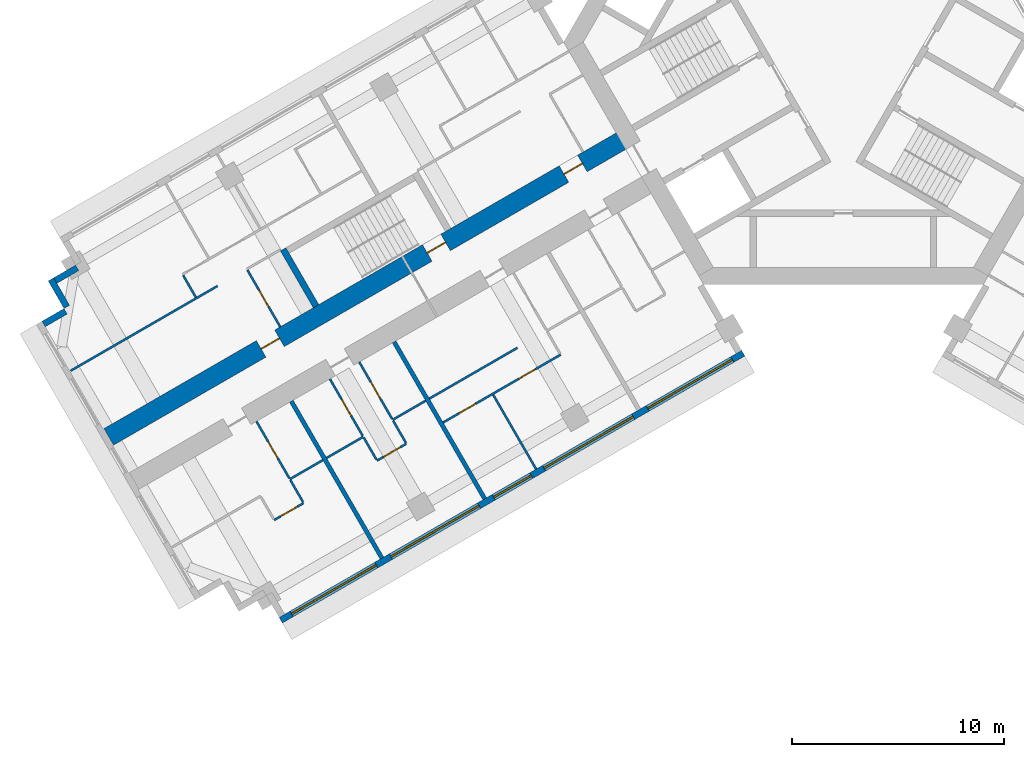
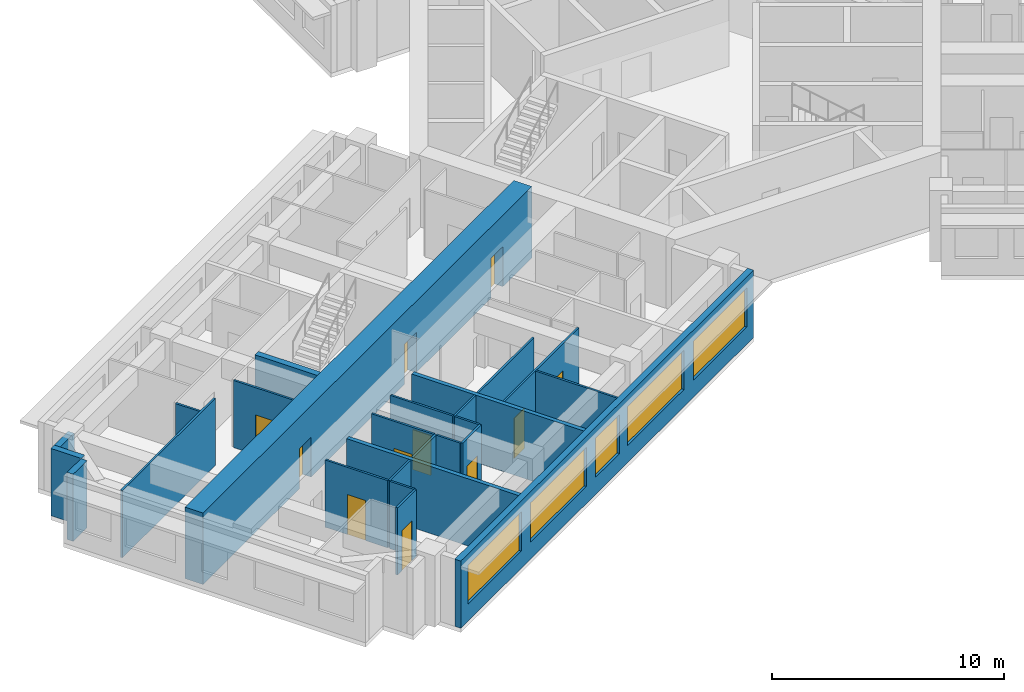
# One storey, part 3 of 14: 25 walls, 11 doors, 5 windows, 16 openings.
"""IFC4 building model written with IfcOpenShell, lengths in metres."""

from ifc_helpers import new_model, si_unit, direction, frame, frame_2d, origin, place, context, subcontext, project, spatial, rectangle, extrude, material, layer, layer_set, type_object, element, fill, save


model = new_model("IFC4")

# Units and contexts
model_context = context("Model", 3, precision=1e-05, world=origin(), true_north=direction((0.0, 1.0)))
body_context = subcontext(model_context, "Body", "Model", "MODEL_VIEW")
ifc_project = project(units=[si_unit("LENGTHUNIT", "METRE"), si_unit("AREAUNIT", "SQUARE_METRE"), si_unit("VOLUMEUNIT", "CUBIC_METRE"), si_unit("PLANEANGLEUNIT", "RADIAN"), si_unit("MASSUNIT", "GRAM", prefix="KILO")], contexts=[model_context])

# Site, building, storey
site_placement = place(None, origin())
site = spatial("IfcSite", under=ifc_project, at=site_placement, CompositionType="ELEMENT")
building_placement = place(site_placement, origin())
building = spatial("IfcBuilding", under=site, at=building_placement, Name="Impinga Residences", CompositionType="ELEMENT")
storey_placement = place(building_placement, frame((0.0, 0.0, 158.5)))
storey = spatial("IfcBuildingStorey", under=building, at=storey_placement, Name="L39", CompositionType="ELEMENT", Elevation=158.5)

# Wall, openings, doors
ifc_material_1 = material(Name="Concrete C60/75", Category="concrete")
ifc_layer_1 = layer(ifc_material_1, 0.89990234375)
ifc_layer_set_1 = layer_set([ifc_layer_1], Name="Concrete C60/75")
wall_type_1 = type_object("IfcWallType", Name="BW2 corridor buttress wall, L24 to L44 900", PredefinedType="SHEAR", material=ifc_layer_set_1)
wall_1_placement = place(storey_placement, frame((-10.153564453125, -4.4765625, 0.0), z_axis=(0.0, 0.0, 1.0), x_axis=(-0.866027127636, -0.49999701419, 0.0)))
wall_1 = element("IfcWall", 1, at=wall_1_placement, inside=storey, type_object=wall_type_1, Name="Corridor wall BW2 WD L39", PredefinedType="SHEAR", context=body_context, shape_type="SweptSolid", body=[
    extrude(rectangle(XDim=28.300048828125, YDim=0.89990234375, at=frame_2d((14.14990234375, 0.0))), origin(), (0.0, 0.0, 1.0), 3.75),
])
opening_1_placement = place(wall_1_placement, frame((9.949951171875, 0.0, 0.0)))
opening_1 = element("IfcOpeningElement", 2, at=opening_1_placement, cuts=wall_1, Name="Opening D5", PredefinedType="OPENING", context=body_context, shape_type="SweptSolid", body=[
    extrude(rectangle(XDim=1.0, YDim=2.10009765625, at=frame_2d((0.5, 1.050048828125))), frame((0.0, 0.4599609375, 0.0), z_axis=(0.0, -1.0, 0.0), x_axis=(1.0, 0.0, 0.0)), (0.0, 0.0, 1.0), 0.919921875),
])
opening_2_placement = place(wall_1_placement, frame((2.5, 0.0, 0.0)))
opening_2 = element("IfcOpeningElement", 3, at=opening_2_placement, cuts=wall_1, Name="Opening D1", PredefinedType="OPENING", context=body_context, shape_type="SweptSolid", body=[
    extrude(rectangle(XDim=1.0, YDim=2.10009765625, at=frame_2d((0.5, 1.050048828125))), frame((0.0, 0.4599609375, 0.0), z_axis=(0.0, -1.0, 0.0), x_axis=(1.0, 0.0, 0.0)), (0.0, 0.0, 1.0), 0.919921875),
])
opening_3_placement = place(wall_1_placement, frame((19.0, 0.0, 0.0)))
opening_3 = element("IfcOpeningElement", 4, at=opening_3_placement, cuts=wall_1, Name="Opening D1", PredefinedType="OPENING", context=body_context, shape_type="SweptSolid", body=[
    extrude(rectangle(XDim=1.0, YDim=2.10009765625, at=frame_2d((0.5, 1.050048828125))), frame((0.0, 0.4599609375, 0.0), z_axis=(0.0, -1.0, 0.0), x_axis=(1.0, 0.0, 0.0)), (0.0, 0.0, 1.0), 0.919921875),
])
ifc_material_2 = material(Name="Timber door set", Category="wood")
door_type_1 = type_object("IfcDoorType", Name="D1 apartment entrance door 1000x2100", OperationType="SINGLE_SWING_LEFT", PredefinedType="DOOR", material=ifc_material_2)
door_1_placement = place(opening_2_placement, origin())
door_1 = element("IfcDoor", 5, at=door_1_placement, inside=storey, type_object=door_type_1, Name="Apartment L39-WF1 entrance", OperationType="SINGLE_SWING_LEFT", OverallHeight=2.10009765625, OverallWidth=1.0, PredefinedType="DOOR", context=body_context, shape_type="SweptSolid", body=[
    extrude(rectangle(XDim=1.0, YDim=2.10009765625, at=frame_2d((0.5, 1.050048828125))), frame((0.0, 0.02490234375, 0.0), z_axis=(0.0, -1.0, 0.0), x_axis=(1.0, 0.0, 0.0)), (0.0, 0.0, 1.0), 0.050048828125),
])
fill(opening_2, door_1)
door_2_placement = place(opening_3_placement, origin())
door_2 = element("IfcDoor", 6, at=door_2_placement, inside=storey, type_object=door_type_1, Name="Apartment L39-WF2 entrance", OperationType="SINGLE_SWING_RIGHT", OverallHeight=2.10009765625, OverallWidth=1.0, PredefinedType="DOOR", context=body_context, shape_type="SweptSolid", body=[
    extrude(rectangle(XDim=1.0, YDim=2.10009765625, at=frame_2d((0.5, 1.050048828125))), frame((0.0, 0.02490234375, 0.0), z_axis=(0.0, -1.0, 0.0), x_axis=(1.0, 0.0, 0.0)), (0.0, 0.0, 1.0), 0.050048828125),
])
fill(opening_3, door_2)
door_type_2 = type_object("IfcDoorType", Name="D5 stair door 1000x2100", OperationType="SINGLE_SWING_LEFT", PredefinedType="DOOR", material=ifc_material_2)
door_3_placement = place(opening_1_placement, origin())
door_3 = element("IfcDoor", 7, at=door_3_placement, inside=storey, type_object=door_type_2, Name="Wing stair door W", OperationType="SINGLE_SWING_LEFT", OverallHeight=2.10009765625, OverallWidth=1.0, PredefinedType="DOOR", context=body_context, shape_type="SweptSolid", body=[
    extrude(rectangle(XDim=1.0, YDim=2.10009765625, at=frame_2d((0.5, 1.050048828125))), frame((0.0, 0.02490234375, 0.0), z_axis=(0.0, -1.0, 0.0), x_axis=(1.0, 0.0, 0.0)), (0.0, 0.0, 1.0), 0.050048828125),
])
fill(opening_1, door_3)

# Walls
ifc_material_3 = material(Name="Terracotta rainscreen on blockwork", Category="masonry")
ifc_layer_2 = layer(ifc_material_3, 0.300048828125)
ifc_layer_set_2 = layer_set([ifc_layer_2], Name="EW1 external wall, terracotta rainscreen on blockwork 300")
wall_type_2 = type_object("IfcWallType", Name="EW1 external wall, terracotta rainscreen on blockwork 300", PredefinedType="SOLIDWALL", material=ifc_layer_set_2)
wall_2_placement = place(storey_placement, frame((-37.737060546875, -13.300537109375, 0.0), z_axis=(0.0, 0.0, 1.0), x_axis=(0.865971243484, 0.500093796661, 0.0)))
element("IfcWall", 8, at=wall_2_placement, inside=storey, type_object=wall_type_2, Name="External wall EW1 L39", PredefinedType="SOLIDWALL", context=body_context, shape_type="SweptSolid", body=[
    extrude(rectangle(XDim=1.195068359375, YDim=0.300048828125, at=frame_2d((0.59765625, 0.0))), origin(), (0.0, 0.0, 1.0), 3.530029296875),
])
wall_3_placement = place(storey_placement, frame((-36.64306640625, -12.49560546875, 0.0), z_axis=(0.0, 0.0, 1.0), x_axis=(-0.499990139034, 0.866031096941, 0.0)))
element("IfcWall", 9, at=wall_3_placement, inside=storey, type_object=wall_type_2, Name="External wall EW1 L39", PredefinedType="SOLIDWALL", context=body_context, shape_type="SweptSolid", body=[
    extrude(rectangle(XDim=1.5, YDim=0.300048828125, at=frame_2d((0.75, 0.0))), origin(), (0.0, 0.0, 1.0), 3.530029296875),
])
wall_4_placement = place(storey_placement, frame((-37.18798828125, -11.25146484375, 0.0), z_axis=(0.0, 0.0, 1.0), x_axis=(0.866059708757, 0.499940577336, 0.0)))
element("IfcWall", 10, at=wall_4_placement, inside=storey, type_object=wall_type_2, Name="External wall EW1 L39", PredefinedType="SOLIDWALL", context=body_context, shape_type="SweptSolid", body=[
    extrude(rectangle(XDim=1.195068359375, YDim=0.300048828125, at=frame_2d((0.59765625, 0.0))), origin(), (0.0, 0.0, 1.0), 3.530029296875),
])

# Wall, openings, windows
wall_5_placement = place(storey_placement, frame((-4.72509765625, -14.67919921875, 0.0), z_axis=(0.0, 0.0, 1.0), x_axis=(-0.866026832479, -0.499997525421, 0.0)))
wall_5 = element("IfcWall", 11, at=wall_5_placement, inside=storey, type_object=wall_type_2, Name="External wall EW1 L39", PredefinedType="SOLIDWALL", context=body_context, shape_type="SweptSolid", body=[
    extrude(rectangle(XDim=25.199951171875, YDim=0.300048828125, at=frame_2d((12.60009765625, 0.0))), origin(), (0.0, 0.0, 1.0), 3.530029296875),
])
opening_4_placement = place(wall_5_placement, frame((0.60009765625, 0.0, 0.89990234375)))
opening_4 = element("IfcOpeningElement", 12, at=opening_4_placement, cuts=wall_5, Name="Opening W3", PredefinedType="OPENING", context=body_context, shape_type="SweptSolid", body=[
    extrude(rectangle(XDim=4.60009765625, YDim=2.050048828125, at=frame_2d((2.300048828125, 1.02490234375))), frame((0.0, 0.159912109375, 0.0), z_axis=(0.0, -1.0, 0.0), x_axis=(1.0, 0.0, 0.0)), (0.0, 0.0, 1.0), 0.320068359375),
])
opening_5_placement = place(wall_5_placement, frame((6.0, 0.0, 0.89990234375)))
opening_5 = element("IfcOpeningElement", 13, at=opening_5_placement, cuts=wall_5, Name="Opening W6", PredefinedType="OPENING", context=body_context, shape_type="SweptSolid", body=[
    extrude(rectangle(XDim=4.85009765625, YDim=2.050048828125, at=frame_2d((2.425048828125, 1.02490234375))), frame((0.0, 0.159912109375, 0.0), z_axis=(0.0, -1.0, 0.0), x_axis=(1.0, 0.0, 0.0)), (0.0, 0.0, 1.0), 0.320068359375),
])
opening_6_placement = place(wall_5_placement, frame((11.550048828125, 0.0, 0.89990234375)))
opening_6 = element("IfcOpeningElement", 14, at=opening_6_placement, cuts=wall_5, Name="Opening W14", PredefinedType="OPENING", context=body_context, shape_type="SweptSolid", body=[
    extrude(rectangle(XDim=2.050048828125, YDim=2.050048828125, at=frame_2d((1.02490234375, 1.02490234375))), frame((0.0, 0.159912109375, 0.0), z_axis=(0.0, -1.0, 0.0), x_axis=(1.0, 0.0, 0.0)), (0.0, 0.0, 1.0), 0.320068359375),
])
opening_7_placement = place(wall_5_placement, frame((14.39990234375, 0.0, 0.89990234375)))
opening_7 = element("IfcOpeningElement", 15, at=opening_7_placement, cuts=wall_5, Name="Opening W8", PredefinedType="OPENING", context=body_context, shape_type="SweptSolid", body=[
    extrude(rectangle(XDim=4.800048828125, YDim=2.050048828125, at=frame_2d((2.39990234375, 1.02490234375))), frame((0.0, 0.159912109375, 0.0), z_axis=(0.0, -1.0, 0.0), x_axis=(1.0, 0.0, 0.0)), (0.0, 0.0, 1.0), 0.320068359375),
])
opening_8_placement = place(wall_5_placement, frame((20.0, 0.0, 0.89990234375)))
opening_8 = element("IfcOpeningElement", 16, at=opening_8_placement, cuts=wall_5, Name="Opening W3", PredefinedType="OPENING", context=body_context, shape_type="SweptSolid", body=[
    extrude(rectangle(XDim=4.60009765625, YDim=2.050048828125, at=frame_2d((2.300048828125, 1.02490234375))), frame((0.0, 0.159912109375, 0.0), z_axis=(0.0, -1.0, 0.0), x_axis=(1.0, 0.0, 0.0)), (0.0, 0.0, 1.0), 0.320068359375),
])
ifc_material_4 = material(Name="Aluminium window, clear double glazing", Category="aluminium")
window_type_1 = type_object("IfcWindowType", Name="W14 ribbon window 2050x2050", PartitioningType="SINGLE_PANEL", PredefinedType="WINDOW", material=ifc_material_4)
window_1_placement = place(opening_6_placement, origin())
window_1 = element("IfcWindow", 17, at=window_1_placement, inside=storey, type_object=window_type_1, Name="Window L39", OverallHeight=2.050048828125, OverallWidth=2.050048828125, PartitioningType="SINGLE_PANEL", PredefinedType="WINDOW", context=body_context, shape_type="SweptSolid", body=[
    extrude(rectangle(XDim=2.050048828125, YDim=2.050048828125, at=frame_2d((1.02490234375, 1.02490234375))), frame((0.0, 0.030029296875, 0.0), z_axis=(0.0, -1.0, 0.0), x_axis=(1.0, 0.0, 0.0)), (0.0, 0.0, 1.0), 0.06005859375),
])
fill(opening_6, window_1)
window_type_2 = type_object("IfcWindowType", Name="W3 ribbon window 4600x2050", PartitioningType="SINGLE_PANEL", PredefinedType="WINDOW", material=ifc_material_4)
window_2_placement = place(opening_4_placement, origin())
window_2 = element("IfcWindow", 18, at=window_2_placement, inside=storey, type_object=window_type_2, Name="Window L39", OverallHeight=2.050048828125, OverallWidth=4.60009765625, PartitioningType="SINGLE_PANEL", PredefinedType="WINDOW", context=body_context, shape_type="SweptSolid", body=[
    extrude(rectangle(XDim=4.60009765625, YDim=2.050048828125, at=frame_2d((2.300048828125, 1.02490234375))), frame((0.0, 0.030029296875, 0.0), z_axis=(0.0, -1.0, 0.0), x_axis=(1.0, 0.0, 0.0)), (0.0, 0.0, 1.0), 0.06005859375),
])
fill(opening_4, window_2)
window_3_placement = place(opening_8_placement, origin())
window_3 = element("IfcWindow", 19, at=window_3_placement, inside=storey, type_object=window_type_2, Name="Window L39", OverallHeight=2.050048828125, OverallWidth=4.60009765625, PartitioningType="SINGLE_PANEL", PredefinedType="WINDOW", context=body_context, shape_type="SweptSolid", body=[
    extrude(rectangle(XDim=4.60009765625, YDim=2.050048828125, at=frame_2d((2.300048828125, 1.02490234375))), frame((0.0, 0.030029296875, 0.0), z_axis=(0.0, -1.0, 0.0), x_axis=(1.0, 0.0, 0.0)), (0.0, 0.0, 1.0), 0.06005859375),
])
fill(opening_8, window_3)
window_type_3 = type_object("IfcWindowType", Name="W6 ribbon window 4850x2050", PartitioningType="SINGLE_PANEL", PredefinedType="WINDOW", material=ifc_material_4)
window_4_placement = place(opening_5_placement, origin())
window_4 = element("IfcWindow", 20, at=window_4_placement, inside=storey, type_object=window_type_3, Name="Window L39", OverallHeight=2.050048828125, OverallWidth=4.85009765625, PartitioningType="SINGLE_PANEL", PredefinedType="WINDOW", context=body_context, shape_type="SweptSolid", body=[
    extrude(rectangle(XDim=4.85009765625, YDim=2.050048828125, at=frame_2d((2.425048828125, 1.02490234375))), frame((0.0, 0.030029296875, 0.0), z_axis=(0.0, -1.0, 0.0), x_axis=(1.0, 0.0, 0.0)), (0.0, 0.0, 1.0), 0.06005859375),
])
fill(opening_5, window_4)
window_type_4 = type_object("IfcWindowType", Name="W8 ribbon window 4800x2050", PartitioningType="SINGLE_PANEL", PredefinedType="WINDOW", material=ifc_material_4)
window_5_placement = place(opening_7_placement, origin())
window_5 = element("IfcWindow", 21, at=window_5_placement, inside=storey, type_object=window_type_4, Name="Window L39", OverallHeight=2.050048828125, OverallWidth=4.800048828125, PartitioningType="SINGLE_PANEL", PredefinedType="WINDOW", context=body_context, shape_type="SweptSolid", body=[
    extrude(rectangle(XDim=4.800048828125, YDim=2.050048828125, at=frame_2d((2.39990234375, 1.02490234375))), frame((0.0, 0.030029296875, 0.0), z_axis=(0.0, -1.0, 0.0), x_axis=(1.0, 0.0, 0.0)), (0.0, 0.0, 1.0), 0.06005859375),
])
fill(opening_7, window_5)

# Wall
ifc_material_5 = material(Name="Gypsum board on steel studs", Category="steel")
ifc_layer_3 = layer(ifc_material_5, 0.10009765625)
ifc_layer_set_3 = layer_set([ifc_layer_3], Name="Gypsum board on steel studs")
wall_type_3 = type_object("IfcWallType", Name="IP1 partition 100", PredefinedType="PARTITIONING", material=ifc_layer_set_3)
wall_6_placement = place(storey_placement, frame((-15.380859375, -14.422607421875, 0.0), z_axis=(0.0, 0.0, 1.0), x_axis=(-0.866015339567, -0.500017431331, 0.0)))
element("IfcWall", 22, at=wall_6_placement, inside=storey, type_object=wall_type_3, Name="Partition L39-WA2:DIV1", PredefinedType="PARTITIONING", context=body_context, shape_type="SweptSolid", body=[
    extrude(rectangle(XDim=4.800048828125, YDim=0.10009765625, at=frame_2d((2.39990234375, 0.0))), origin(), (0.0, 0.0, 1.0), 3.530029296875),
])

# Wall, openings, doors
wall_7_placement = place(storey_placement, frame((-13.34521484375, -14.74853515625, 0.0), z_axis=(0.0, 0.0, 1.0), x_axis=(-0.866025499775, -0.499999833739, 0.0)))
wall_7 = element("IfcWall", 23, at=wall_7_placement, inside=storey, type_object=wall_type_3, Name="Partition L39-WA2:STRIP", PredefinedType="PARTITIONING", context=body_context, shape_type="SweptSolid", body=[
    extrude(rectangle(XDim=6.39990234375, YDim=0.10009765625, at=frame_2d((3.199951171875, 0.0))), origin(), (0.0, 0.0, 1.0), 3.530029296875),
])
opening_9_placement = place(wall_7_placement, frame((1.375, 0.0, 0.0)))
opening_9 = element("IfcOpeningElement", 24, at=opening_9_placement, cuts=wall_7, Name="Opening D2", PredefinedType="OPENING", context=body_context, shape_type="SweptSolid", body=[
    extrude(rectangle(XDim=0.89990234375, YDim=2.10009765625, at=frame_2d((0.449951171875, 1.050048828125))), frame((0.0, 0.06005859375, 0.0), z_axis=(0.0, -1.0, 0.0), x_axis=(1.0, 0.0, 0.0)), (0.0, 0.0, 1.0), 0.1201171875),
])
opening_10_placement = place(wall_7_placement, frame((4.625, 0.0, 0.0)))
opening_10 = element("IfcOpeningElement", 25, at=opening_10_placement, cuts=wall_7, Name="Opening D2", PredefinedType="OPENING", context=body_context, shape_type="SweptSolid", body=[
    extrude(rectangle(XDim=0.89990234375, YDim=2.10009765625, at=frame_2d((0.449951171875, 1.050048828125))), frame((0.0, 0.06005859375, 0.0), z_axis=(0.0, -1.0, 0.0), x_axis=(1.0, 0.0, 0.0)), (0.0, 0.0, 1.0), 0.1201171875),
])
door_type_3 = type_object("IfcDoorType", Name="D2 internal door 900x2100", OperationType="SINGLE_SWING_LEFT", PredefinedType="DOOR", material=ifc_material_2)
door_4_placement = place(opening_9_placement, origin())
door_4 = element("IfcDoor", 26, at=door_4_placement, inside=storey, type_object=door_type_3, Name="Apartment L39-WA2 room door", OperationType="SINGLE_SWING_LEFT", OverallHeight=2.10009765625, OverallWidth=0.89990234375, PredefinedType="DOOR", context=body_context, shape_type="SweptSolid", body=[
    extrude(rectangle(XDim=0.89990234375, YDim=2.10009765625, at=frame_2d((0.449951171875, 1.050048828125))), frame((0.0, 0.02490234375, 0.0), z_axis=(0.0, -1.0, 0.0), x_axis=(1.0, 0.0, 0.0)), (0.0, 0.0, 1.0), 0.050048828125),
])
fill(opening_9, door_4)
door_5_placement = place(opening_10_placement, origin())
door_5 = element("IfcDoor", 27, at=door_5_placement, inside=storey, type_object=door_type_3, Name="Apartment L39-WA2 room door", OperationType="SINGLE_SWING_RIGHT", OverallHeight=2.10009765625, OverallWidth=0.89990234375, PredefinedType="DOOR", context=body_context, shape_type="SweptSolid", body=[
    extrude(rectangle(XDim=0.89990234375, YDim=2.10009765625, at=frame_2d((0.449951171875, 1.050048828125))), frame((0.0, 0.02490234375, 0.0), z_axis=(0.0, -1.0, 0.0), x_axis=(1.0, 0.0, 0.0)), (0.0, 0.0, 1.0), 0.050048828125),
])
fill(opening_10, door_5)

# Walls
wall_8_placement = place(storey_placement, frame((-16.5244140625, -16.641845703125, 0.0), z_axis=(0.0, 0.0, 1.0), x_axis=(0.499990325971, -0.866030989016, 0.0)))
element("IfcWall", 28, at=wall_8_placement, inside=storey, type_object=wall_type_3, Name="Partition L39-WA2:OB1", PredefinedType="PARTITIONING", context=body_context, shape_type="SweptSolid", body=[
    extrude(rectangle(XDim=4.0498046875, YDim=0.10009765625, at=frame_2d((2.02490234375, 0.0))), origin(), (0.0, 0.0, 1.0), 3.530029296875),
])
wall_9_placement = place(storey_placement, frame((-19.7109375, -16.922607421875, 0.0), z_axis=(0.0, 0.0, 1.0), x_axis=(-0.865989075817, -0.500062916607, 0.0)))
element("IfcWall", 29, at=wall_9_placement, inside=storey, type_object=wall_type_3, Name="Partition L39-WA3:DIV0", PredefinedType="PARTITIONING", context=body_context, shape_type="SweptSolid", body=[
    extrude(rectangle(XDim=1.800048828125, YDim=0.10009765625, at=frame_2d((0.89990234375, 0.0))), origin(), (0.0, 0.0, 1.0), 3.530029296875),
])
wall_10_placement = place(storey_placement, frame((-22.655517578125, -18.622802734375, 0.0), z_axis=(0.0, 0.0, 1.0), x_axis=(-0.866010750942, -0.50002537861, 0.0)))
element("IfcWall", 30, at=wall_10_placement, inside=storey, type_object=wall_type_3, Name="Partition L39-WA3:DIV1", PredefinedType="PARTITIONING", context=body_context, shape_type="SweptSolid", body=[
    extrude(rectangle(XDim=2.0, YDim=0.10009765625, at=frame_2d((1.0, 0.0))), origin(), (0.0, 0.0, 1.0), 3.530029296875),
])

# Wall, opening, door
wall_11_placement = place(storey_placement, frame((-20.619873046875, -18.948486328125, 0.0), z_axis=(0.0, 0.0, 1.0), x_axis=(-0.865989903783, -0.500061482766, 0.0)))
wall_11 = element("IfcWall", 31, at=wall_11_placement, inside=storey, type_object=wall_type_3, Name="Partition L39-WA3:STRIP", PredefinedType="PARTITIONING", context=body_context, shape_type="SweptSolid", body=[
    extrude(rectangle(XDim=1.599853515625, YDim=0.10009765625, at=frame_2d((0.7998046875, 0.0))), origin(), (0.0, 0.0, 1.0), 3.530029296875),
])
opening_11_placement = place(wall_11_placement, frame((0.35009765625, 0.0, 0.0)))
opening_11 = element("IfcOpeningElement", 32, at=opening_11_placement, cuts=wall_11, Name="Opening D2", PredefinedType="OPENING", context=body_context, shape_type="SweptSolid", body=[
    extrude(rectangle(XDim=0.89990234375, YDim=2.10009765625, at=frame_2d((0.449951171875, 1.050048828125))), frame((0.0, 0.06005859375, 0.0), z_axis=(0.0, -1.0, 0.0), x_axis=(1.0, 0.0, 0.0)), (0.0, 0.0, 1.0), 0.1201171875),
])
door_6_placement = place(opening_11_placement, origin())
door_6 = element("IfcDoor", 33, at=door_6_placement, inside=storey, type_object=door_type_3, Name="Apartment L39-WA3 room door", OperationType="SINGLE_SWING_LEFT", OverallHeight=2.10009765625, OverallWidth=0.89990234375, PredefinedType="DOOR", context=body_context, shape_type="SweptSolid", body=[
    extrude(rectangle(XDim=0.89990234375, YDim=2.10009765625, at=frame_2d((0.449951171875, 1.050048828125))), frame((0.0, 0.02490234375, 0.0), z_axis=(0.0, -1.0, 0.0), x_axis=(1.0, 0.0, 0.0)), (0.0, 0.0, 1.0), 0.050048828125),
])
fill(opening_11, door_6)

# Walls
wall_12_placement = place(storey_placement, frame((-21.244873046875, -17.865966796875, 0.0), z_axis=(0.0, 0.0, 1.0), x_axis=(0.500033551112, -0.866006032174, 0.0)))
element("IfcWall", 34, at=wall_12_placement, inside=storey, type_object=wall_type_3, Name="Partition L39-WA3:SE0", PredefinedType="PARTITIONING", context=body_context, shape_type="SweptSolid", body=[
    extrude(rectangle(XDim=1.2001953125, YDim=0.10009765625, at=frame_2d((0.60009765625, 0.0))), origin(), (0.0, 0.0, 1.0), 3.530029296875),
])
wall_13_placement = place(storey_placement, frame((-22.63037109375, -18.666015625, 0.0), z_axis=(0.0, 0.0, 1.0), x_axis=(0.499880961361, -0.866094119867, 0.0)))
element("IfcWall", 35, at=wall_13_placement, inside=storey, type_object=wall_type_3, Name="Partition L39-WA3:SE1", PredefinedType="PARTITIONING", context=body_context, shape_type="SweptSolid", body=[
    extrude(rectangle(XDim=1.199951171875, YDim=0.10009765625, at=frame_2d((0.60009765625, 0.0))), origin(), (0.0, 0.0, 1.0), 3.530029296875),
])

# Wall, opening, door
wall_14_placement = place(storey_placement, frame((-22.8447265625, -15.0947265625, 0.0), z_axis=(0.0, 0.0, 1.0), x_axis=(0.499967891604, -0.866043940782, 0.0)))
wall_14 = element("IfcWall", 36, at=wall_14_placement, inside=storey, type_object=wall_type_3, Name="Partition L39-WA3:IB1", PredefinedType="PARTITIONING", context=body_context, shape_type="SweptSolid", body=[
    extrude(rectangle(XDim=3.099853515625, YDim=0.10009765625, at=frame_2d((1.5498046875, 0.0))), origin(), (0.0, 0.0, 1.0), 3.530029296875),
])
opening_12_placement = place(wall_14_placement, frame((1.10009765625, 0.0, 0.0)))
opening_12 = element("IfcOpeningElement", 37, at=opening_12_placement, cuts=wall_14, Name="Opening D2", PredefinedType="OPENING", context=body_context, shape_type="SweptSolid", body=[
    extrude(rectangle(XDim=0.89990234375, YDim=2.10009765625, at=frame_2d((0.449951171875, 1.050048828125))), frame((0.0, 0.06005859375, 0.0), z_axis=(0.0, -1.0, 0.0), x_axis=(1.0, 0.0, 0.0)), (0.0, 0.0, 1.0), 0.1201171875),
])
door_7_placement = place(opening_12_placement, origin())
door_7 = element("IfcDoor", 38, at=door_7_placement, inside=storey, type_object=door_type_3, Name="Apartment L39-WA3 bathroom door", OperationType="SINGLE_SWING_LEFT", OverallHeight=2.10009765625, OverallWidth=0.89990234375, PredefinedType="DOOR", context=body_context, shape_type="SweptSolid", body=[
    extrude(rectangle(XDim=0.89990234375, YDim=2.10009765625, at=frame_2d((0.449951171875, 1.050048828125))), frame((0.0, 0.02490234375, 0.0), z_axis=(0.0, -1.0, 0.0), x_axis=(1.0, 0.0, 0.0)), (0.0, 0.0, 1.0), 0.050048828125),
])
fill(opening_12, door_7)

wall_15_placement = place(storey_placement, frame((-24.23046875, -15.894775390625, 0.0), z_axis=(0.0, 0.0, 1.0), x_axis=(0.500026960575, -0.86600983753, 0.0)))
wall_15 = element("IfcWall", 39, at=wall_15_placement, inside=storey, type_object=wall_type_3, Name="Partition L39-WA3:IB2", PredefinedType="PARTITIONING", context=body_context, shape_type="SweptSolid", body=[
    extrude(rectangle(XDim=3.099853515625, YDim=0.10009765625, at=frame_2d((1.5498046875, 0.0))), origin(), (0.0, 0.0, 1.0), 3.530029296875),
])
opening_13_placement = place(wall_15_placement, frame((1.10009765625, 0.0, 0.0)))
opening_13 = element("IfcOpeningElement", 40, at=opening_13_placement, cuts=wall_15, Name="Opening D2", PredefinedType="OPENING", context=body_context, shape_type="SweptSolid", body=[
    extrude(rectangle(XDim=0.89990234375, YDim=2.10009765625, at=frame_2d((0.449951171875, 1.050048828125))), frame((0.0, 0.06005859375, 0.0), z_axis=(0.0, -1.0, 0.0), x_axis=(1.0, 0.0, 0.0)), (0.0, 0.0, 1.0), 0.1201171875),
])
door_8_placement = place(opening_13_placement, origin())
door_8 = element("IfcDoor", 41, at=door_8_placement, inside=storey, type_object=door_type_3, Name="Apartment L39-WA3 WC door", OperationType="SINGLE_SWING_LEFT", OverallHeight=2.10009765625, OverallWidth=0.89990234375, PredefinedType="DOOR", context=body_context, shape_type="SweptSolid", body=[
    extrude(rectangle(XDim=0.89990234375, YDim=2.10009765625, at=frame_2d((0.449951171875, 1.050048828125))), frame((0.0, 0.02490234375, 0.0), z_axis=(0.0, -1.0, 0.0), x_axis=(1.0, 0.0, 0.0)), (0.0, 0.0, 1.0), 0.050048828125),
])
fill(opening_13, door_8)

# Wall
wall_16_placement = place(storey_placement, frame((-24.560791015625, -19.72265625, 0.0), z_axis=(0.0, 0.0, 1.0), x_axis=(-0.865989075817, -0.500062916607, 0.0)))
element("IfcWall", 42, at=wall_16_placement, inside=storey, type_object=wall_type_3, Name="Partition L39-WA4:DIV0", PredefinedType="PARTITIONING", context=body_context, shape_type="SweptSolid", body=[
    extrude(rectangle(XDim=1.800048828125, YDim=0.10009765625, at=frame_2d((0.89990234375, 0.0))), origin(), (0.0, 0.0, 1.0), 3.530029296875),
])

# Wall, opening, door
wall_17_placement = place(storey_placement, frame((-25.469482421875, -21.74853515625, 0.0), z_axis=(0.0, 0.0, 1.0), x_axis=(-0.866028054938, -0.499995408039, 0.0)))
wall_17 = element("IfcWall", 43, at=wall_17_placement, inside=storey, type_object=wall_type_3, Name="Partition L39-WA4:STRIP", PredefinedType="PARTITIONING", context=body_context, shape_type="SweptSolid", body=[
    extrude(rectangle(XDim=1.60009765625, YDim=0.10009765625, at=frame_2d((0.800048828125, 0.0))), origin(), (0.0, 0.0, 1.0), 3.530029296875),
])
opening_14_placement = place(wall_17_placement, frame((0.35009765625, 0.0, 0.0)))
opening_14 = element("IfcOpeningElement", 44, at=opening_14_placement, cuts=wall_17, Name="Opening D2", PredefinedType="OPENING", context=body_context, shape_type="SweptSolid", body=[
    extrude(rectangle(XDim=0.89990234375, YDim=2.10009765625, at=frame_2d((0.449951171875, 1.050048828125))), frame((0.0, 0.06005859375, 0.0), z_axis=(0.0, -1.0, 0.0), x_axis=(1.0, 0.0, 0.0)), (0.0, 0.0, 1.0), 0.1201171875),
])
door_9_placement = place(opening_14_placement, origin())
door_9 = element("IfcDoor", 45, at=door_9_placement, inside=storey, type_object=door_type_3, Name="Apartment L39-WA4 room door", OperationType="SINGLE_SWING_LEFT", OverallHeight=2.10009765625, OverallWidth=0.89990234375, PredefinedType="DOOR", context=body_context, shape_type="SweptSolid", body=[
    extrude(rectangle(XDim=0.89990234375, YDim=2.10009765625, at=frame_2d((0.449951171875, 1.050048828125))), frame((0.0, 0.02490234375, 0.0), z_axis=(0.0, -1.0, 0.0), x_axis=(1.0, 0.0, 0.0)), (0.0, 0.0, 1.0), 0.050048828125),
])
fill(opening_14, door_9)

# Wall
wall_18_placement = place(storey_placement, frame((-26.094482421875, -20.666015625, 0.0), z_axis=(0.0, 0.0, 1.0), x_axis=(0.499880961361, -0.866094119867, 0.0)))
element("IfcWall", 46, at=wall_18_placement, inside=storey, type_object=wall_type_3, Name="Partition L39-WA4:SE0", PredefinedType="PARTITIONING", context=body_context, shape_type="SweptSolid", body=[
    extrude(rectangle(XDim=1.199951171875, YDim=0.10009765625, at=frame_2d((0.60009765625, 0.0))), origin(), (0.0, 0.0, 1.0), 3.530029296875),
])

# Wall, opening, door
wall_19_placement = place(storey_placement, frame((-27.694580078125, -17.894775390625, 0.0), z_axis=(0.0, 0.0, 1.0), x_axis=(0.500026960575, -0.86600983753, 0.0)))
wall_19 = element("IfcWall", 47, at=wall_19_placement, inside=storey, type_object=wall_type_3, Name="Partition L39-WA4:IB1", PredefinedType="PARTITIONING", context=body_context, shape_type="SweptSolid", body=[
    extrude(rectangle(XDim=3.099853515625, YDim=0.10009765625, at=frame_2d((1.5498046875, 0.0))), origin(), (0.0, 0.0, 1.0), 3.530029296875),
])
opening_15_placement = place(wall_19_placement, frame((1.10009765625, 0.0, 0.0)))
opening_15 = element("IfcOpeningElement", 48, at=opening_15_placement, cuts=wall_19, Name="Opening D2", PredefinedType="OPENING", context=body_context, shape_type="SweptSolid", body=[
    extrude(rectangle(XDim=0.89990234375, YDim=2.10009765625, at=frame_2d((0.449951171875, 1.050048828125))), frame((0.0, 0.06005859375, 0.0), z_axis=(0.0, -1.0, 0.0), x_axis=(1.0, 0.0, 0.0)), (0.0, 0.0, 1.0), 0.1201171875),
])
door_10_placement = place(opening_15_placement, origin())
door_10 = element("IfcDoor", 49, at=door_10_placement, inside=storey, type_object=door_type_3, Name="Apartment L39-WA4 bathroom door", OperationType="SINGLE_SWING_LEFT", OverallHeight=2.10009765625, OverallWidth=0.89990234375, PredefinedType="DOOR", context=body_context, shape_type="SweptSolid", body=[
    extrude(rectangle(XDim=0.89990234375, YDim=2.10009765625, at=frame_2d((0.449951171875, 1.050048828125))), frame((0.0, 0.02490234375, 0.0), z_axis=(0.0, -1.0, 0.0), x_axis=(1.0, 0.0, 0.0)), (0.0, 0.0, 1.0), 0.050048828125),
])
fill(opening_15, door_10)

# Walls
wall_20_placement = place(storey_placement, frame((-29.533935546875, -11.5087890625, 0.0), z_axis=(0.0, 0.0, 1.0), x_axis=(-0.866026010844, -0.49999894854, 0.0)))
element("IfcWall", 50, at=wall_20_placement, inside=storey, type_object=wall_type_3, Name="Partition L39-WF2:DIV1", PredefinedType="PARTITIONING", context=body_context, shape_type="SweptSolid", body=[
    extrude(rectangle(XDim=8.0, YDim=0.10009765625, at=frame_2d((4.0, 0.0))), origin(), (0.0, 0.0, 1.0), 3.530029296875),
])
wall_21_placement = place(storey_placement, frame((-30.554931640625, -12.04052734375, 0.0), z_axis=(0.0, 0.0, 1.0), x_axis=(-0.499880961361, 0.866094119867, 0.0)))
element("IfcWall", 51, at=wall_21_placement, inside=storey, type_object=wall_type_3, Name="Partition L39-WF2:SE1", PredefinedType="PARTITIONING", context=body_context, shape_type="SweptSolid", body=[
    extrude(rectangle(XDim=1.199951171875, YDim=0.10009765625, at=frame_2d((0.60009765625, 0.0))), origin(), (0.0, 0.0, 1.0), 3.530029296875),
])

# Wall, opening, door
wall_22_placement = place(storey_placement, frame((-26.5732421875, -13.436767578125, 0.0), z_axis=(0.0, 0.0, 1.0), x_axis=(-0.500026960575, 0.86600983753, 0.0)))
wall_22 = element("IfcWall", 52, at=wall_22_placement, inside=storey, type_object=wall_type_3, Name="Partition L39-WF2:IB1", PredefinedType="PARTITIONING", context=body_context, shape_type="SweptSolid", body=[
    extrude(rectangle(XDim=3.099853515625, YDim=0.10009765625, at=frame_2d((1.5498046875, 0.0))), origin(), (0.0, 0.0, 1.0), 3.530029296875),
])
opening_16_placement = place(wall_22_placement, frame((1.10009765625, 0.0, 0.0)))
opening_16 = element("IfcOpeningElement", 53, at=opening_16_placement, cuts=wall_22, Name="Opening D2", PredefinedType="OPENING", context=body_context, shape_type="SweptSolid", body=[
    extrude(rectangle(XDim=0.89990234375, YDim=2.10009765625, at=frame_2d((0.449951171875, 1.050048828125))), frame((0.0, 0.06005859375, 0.0), z_axis=(0.0, -1.0, 0.0), x_axis=(1.0, 0.0, 0.0)), (0.0, 0.0, 1.0), 0.1201171875),
])
door_11_placement = place(opening_16_placement, origin())
door_11 = element("IfcDoor", 54, at=door_11_placement, inside=storey, type_object=door_type_3, Name="Apartment L39-WF2 bathroom door", OperationType="SINGLE_SWING_LEFT", OverallHeight=2.10009765625, OverallWidth=0.89990234375, PredefinedType="DOOR", context=body_context, shape_type="SweptSolid", body=[
    extrude(rectangle(XDim=0.89990234375, YDim=2.10009765625, at=frame_2d((0.449951171875, 1.050048828125))), frame((0.0, 0.02490234375, 0.0), z_axis=(0.0, -1.0, 0.0), x_axis=(1.0, 0.0, 0.0)), (0.0, 0.0, 1.0), 0.050048828125),
])
fill(opening_16, door_11)

# Walls
ifc_material_6 = material(Name="Concrete blockwork", Category="masonry")
ifc_layer_4 = layer(ifc_material_6, 0.199951171875)
ifc_layer_set_4 = layer_set([ifc_layer_4], Name="PW1 party wall between apartments 200")
wall_type_4 = type_object("IfcWallType", Name="PW1 party wall between apartments 200", PredefinedType="SOLIDWALL", material=ifc_layer_set_4)
wall_23_placement = place(storey_placement, frame((-21.199462890625, -14.144775390625, 0.0), z_axis=(0.0, 0.0, 1.0), x_axis=(0.500011643316, -0.866018681408, 0.0)))
element("IfcWall", 55, at=wall_23_placement, inside=storey, type_object=wall_type_4, Name="Party wall between apartments L39-WA2:PARTY", PredefinedType="SOLIDWALL", context=body_context, shape_type="SweptSolid", body=[
    extrude(rectangle(XDim=8.550048828125, YDim=0.199951171875, at=frame_2d((4.27490234375, 0.0))), origin(), (0.0, 0.0, 1.0), 3.530029296875),
])
wall_24_placement = place(storey_placement, frame((-26.049072265625, -16.94482421875, 0.0), z_axis=(0.0, 0.0, 1.0), x_axis=(0.500002592159, -0.866023907196, 0.0)))
element("IfcWall", 56, at=wall_24_placement, inside=storey, type_object=wall_type_4, Name="Party wall between apartments L39-WA3:PARTY", PredefinedType="SOLIDWALL", context=body_context, shape_type="SweptSolid", body=[
    extrude(rectangle(XDim=8.5498046875, YDim=0.199951171875, at=frame_2d((4.27490234375, 0.0))), origin(), (0.0, 0.0, 1.0), 3.530029296875),
])
ifc_layer_5 = layer(ifc_material_1, 0.300048828125)
ifc_layer_set_5 = layer_set([ifc_layer_5], Name="Concrete C60/75")
wall_type_5 = type_object("IfcWallType", Name="SE1 wing stair enclosure wall 300", PredefinedType="SOLIDWALL", material=ifc_layer_set_5)
wall_25_placement = place(storey_placement, frame((-24.884521484375, -12.4619140625, 0.0), z_axis=(0.0, 0.0, 1.0), x_axis=(-0.49999285859, 0.86602952684, 0.0)))
element("IfcWall", 57, at=wall_25_placement, inside=storey, type_object=wall_type_5, Name="Stair enclosure wall SE1 W END1 L39", PredefinedType="SOLIDWALL", context=body_context, shape_type="SweptSolid", body=[
    extrude(rectangle(XDim=3.10009765625, YDim=0.300048828125, at=frame_2d((1.550048828125, 0.0))), origin(), (0.0, 0.0, 1.0), 3.75),
])

save(model, "model.ifc")
